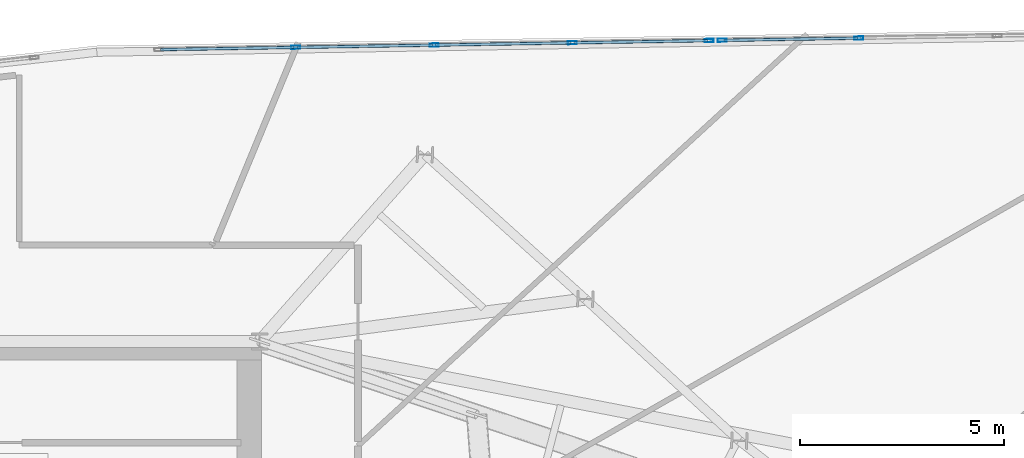
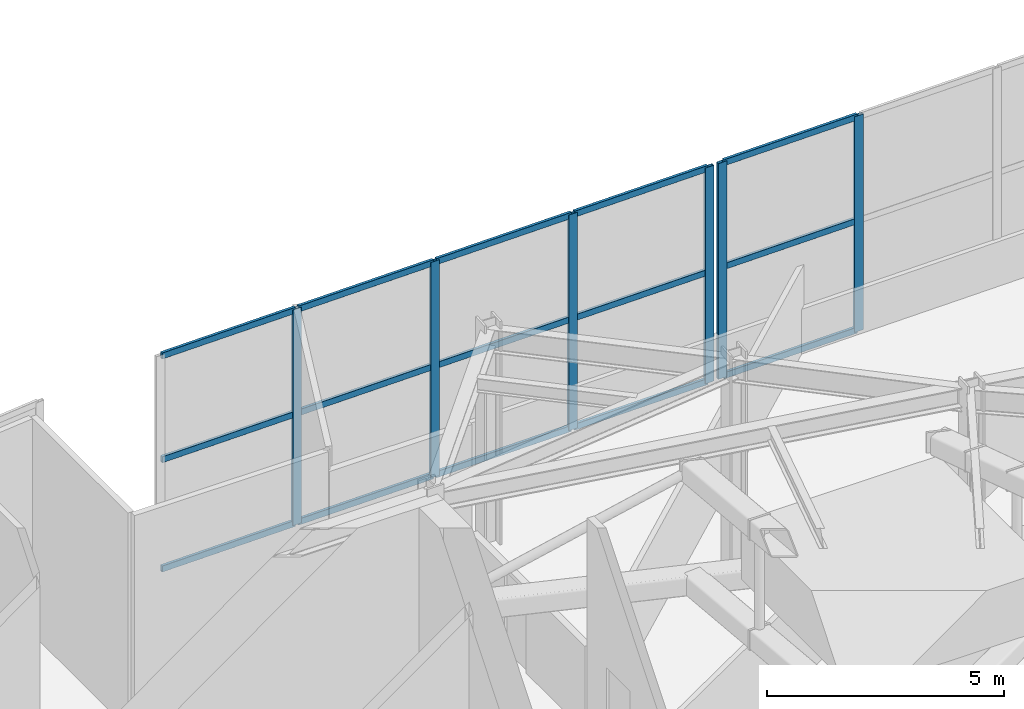
# One storey, part 6 of 15: 21 members, 2 elements without a shape of their own.
"""IFC4 building model written with IfcOpenShell, lengths in metres."""

from ifc_helpers import new_model, si_unit, direction, frame, origin, origin_2d, place, context, subcontext, project, spatial, hollow_rectangle, extrude, material, material_profile, profile_set, type_object, element, aggregate, save


model = new_model("IFC4")

# Units and contexts
model_context = context("Model", 3, precision=1e-05, world=origin(), true_north=direction((0.0, 1.0)))
body_context = subcontext(model_context, "Body", "Model", "MODEL_VIEW")
ifc_project = project(units=[si_unit("LENGTHUNIT", "METRE"), si_unit("AREAUNIT", "SQUARE_METRE"), si_unit("VOLUMEUNIT", "CUBIC_METRE"), si_unit("PLANEANGLEUNIT", "RADIAN"), si_unit("MASSUNIT", "GRAM", prefix="KILO")], contexts=[model_context])

# Site, building, storey
site_placement = place(None, origin())
site = spatial("IfcSite", under=ifc_project, at=site_placement, CompositionType="ELEMENT")
building_placement = place(site_placement, origin())
building = spatial("IfcBuilding", under=site, at=building_placement, Name="Narakoshi Arena Tower", CompositionType="ELEMENT")
storey_placement = place(building_placement, frame((0.0, 0.0, 292.419921875)))
storey = spatial("IfcBuildingStorey", under=building, at=storey_placement, Name="L80", CompositionType="ELEMENT", Elevation=292.419921875)

# Curtain wall, members
ifc_material_1 = material(Name="Clear low-iron laminated structural glass", Category="glass")
curtain_wall_type = type_object("IfcCurtainWallType", Name="CW-OBS-TMD", PredefinedType="NOTDEFINED", material=ifc_material_1)
curtain_wall_1_placement = place(storey_placement, origin())
curtain_wall_1 = element("IfcCurtainWall", 1, at=curtain_wall_1_placement, inside=storey, type_object=curtain_wall_type, Name="L80 Folded Hypotenuse Curtain Wall 1-1", PredefinedType="NOTDEFINED")
ifc_material_2 = material(Name="Anodised bronze aluminium 6063-T6", Category="aluminium")
ifc_material_profile_1 = material_profile(ifc_material_2, hollow_rectangle(XDim=0.080078125, YDim=0.219970703125, WallThickness=0.0048828125, OuterFilletRadius=0.006103515625, at=origin_2d()), Name="MUL220x80x5")
ifc_profile_set_1 = profile_set([ifc_material_profile_1], Name="Anodised bronze aluminium 6063-T6")
member_type_1 = type_object("IfcMemberType", Name="MEM-MUL-220", PredefinedType="MULLION", material=ifc_profile_set_1)
member_1_placement = place(storey_placement, frame((100.26708984375, 63.95068359375, 0.0), z_axis=(0.0, 0.0, 1.0), x_axis=(0.016444781281, -0.999864775441, 0.0)))
member_1 = element("IfcMember", 2, at=member_1_placement, type_object=member_type_1, Name="CW-05 mullion 4", PredefinedType="MULLION", context=body_context, shape_type="SweptSolid", body=[
    extrude(hollow_rectangle(XDim=0.080078125, YDim=0.219970703125, WallThickness=0.0048828125, OuterFilletRadius=0.006103515625, at=origin_2d()), origin(), (0.0, 0.0, 1.0), 5.56005859375),
])
member_2_placement = place(storey_placement, frame((96.909912109375, 63.8955078125, 0.0), z_axis=(0.0, 0.0, 1.0), x_axis=(0.016444781281, -0.999864775441, 0.0)))
member_2 = element("IfcMember", 3, at=member_2_placement, type_object=member_type_1, Name="CW-05 mullion 5", PredefinedType="MULLION", context=body_context, shape_type="SweptSolid", body=[
    extrude(hollow_rectangle(XDim=0.080078125, YDim=0.219970703125, WallThickness=0.0048828125, OuterFilletRadius=0.006103515625, at=origin_2d()), origin(), (0.0, 0.0, 1.0), 5.56005859375),
])

curtain_wall_2_placement = place(storey_placement, origin())
curtain_wall_2 = element("IfcCurtainWall", 4, at=curtain_wall_2_placement, inside=storey, type_object=curtain_wall_type, Name="L80 Folded Hypotenuse Curtain Wall 1-2", PredefinedType="NOTDEFINED")
member_3_placement = place(storey_placement, frame((96.58984375, 63.89013671875, 0.0), z_axis=(0.0, 0.0, 1.0), x_axis=(0.016437304499, -0.999864898384, 0.0)))
member_3 = element("IfcMember", 5, at=member_3_placement, type_object=member_type_1, Name="CW-05 mullion 1", PredefinedType="MULLION", context=body_context, shape_type="SweptSolid", body=[
    extrude(hollow_rectangle(XDim=0.080078125, YDim=0.219970703125, WallThickness=0.0048828125, OuterFilletRadius=0.006103515625, at=origin_2d()), origin(), (0.0, 0.0, 1.0), 5.56005859375),
])
member_4_placement = place(storey_placement, frame((93.232421875, 63.8349609375, 0.0), z_axis=(0.0, 0.0, 1.0), x_axis=(0.016437304499, -0.999864898384, 0.0)))
member_4 = element("IfcMember", 6, at=member_4_placement, type_object=member_type_1, Name="CW-05 mullion 2", PredefinedType="MULLION", context=body_context, shape_type="SweptSolid", body=[
    extrude(hollow_rectangle(XDim=0.080078125, YDim=0.219970703125, WallThickness=0.0048828125, OuterFilletRadius=0.006103515625, at=origin_2d()), origin(), (0.0, 0.0, 1.0), 5.56005859375),
])
member_5_placement = place(storey_placement, frame((89.835205078125, 63.779296875, 0.0), z_axis=(0.0, 0.0, 1.0), x_axis=(0.016437304499, -0.999864898384, 0.0)))
member_5 = element("IfcMember", 7, at=member_5_placement, type_object=member_type_1, Name="CW-05 mullion 3", PredefinedType="MULLION", context=body_context, shape_type="SweptSolid", body=[
    extrude(hollow_rectangle(XDim=0.080078125, YDim=0.219970703125, WallThickness=0.0048828125, OuterFilletRadius=0.006103515625, at=origin_2d()), origin(), (0.0, 0.0, 1.0), 5.56005859375),
])
member_6_placement = place(storey_placement, frame((86.43798828125, 63.723388671875, 0.0), z_axis=(0.0, 0.0, 1.0), x_axis=(0.016437304499, -0.999864898384, 0.0)))
member_6 = element("IfcMember", 8, at=member_6_placement, type_object=member_type_1, Name="CW-05 mullion 4", PredefinedType="MULLION", context=body_context, shape_type="SweptSolid", body=[
    extrude(hollow_rectangle(XDim=0.080078125, YDim=0.219970703125, WallThickness=0.0048828125, OuterFilletRadius=0.006103515625, at=origin_2d()), origin(), (0.0, 0.0, 1.0), 5.56005859375),
])

# Member
ifc_material_profile_2 = material_profile(ifc_material_2, hollow_rectangle(XDim=0.070068359375, YDim=0.159912109375, WallThickness=0.00390625, OuterFilletRadius=0.0048828125, at=origin_2d()), Name="TRN160x70x4")
ifc_profile_set_2 = profile_set([ifc_material_profile_2], Name="Anodised bronze aluminium 6063-T6")
member_type_2 = type_object("IfcMemberType", Name="MEM-TRN-160", PredefinedType="USERDEFINED", material=ifc_profile_set_2)
member_7_placement = place(storey_placement, frame((100.22705078125, 63.9501953125, 0.03515625), z_axis=(-0.999864511512, -0.016460820698, 0.0), x_axis=(0.016460820698, -0.999864511512, 0.0)))
member_7 = element("IfcMember", 9, at=member_7_placement, type_object=member_type_2, Name="CW-05 transom 4.1", ObjectType="TRANSOM", PredefinedType="USERDEFINED", context=body_context, shape_type="SweptSolid", body=[
    extrude(hollow_rectangle(XDim=0.070068359375, YDim=0.159912109375, WallThickness=0.00390625, OuterFilletRadius=0.0048828125, at=origin_2d()), origin(), (0.0, 0.0, 1.0), 3.27783203125),
])

member_8_placement = place(storey_placement, frame((100.22705078125, 63.9501953125, 2.85009765625), z_axis=(-0.999864511512, -0.016460820698, 0.0), x_axis=(0.016460820698, -0.999864511512, 0.0)))
member_8 = element("IfcMember", 10, at=member_8_placement, type_object=member_type_2, Name="CW-05 transom 4.2", ObjectType="TRANSOM", PredefinedType="USERDEFINED", context=body_context, shape_type="SweptSolid", body=[
    extrude(hollow_rectangle(XDim=0.070068359375, YDim=0.159912109375, WallThickness=0.00390625, OuterFilletRadius=0.0048828125, at=origin_2d()), origin(), (0.0, 0.0, 1.0), 3.27783203125),
])

member_9_placement = place(storey_placement, frame((100.22705078125, 63.9501953125, 5.525146484375), z_axis=(-0.999864511512, -0.016460820698, 0.0), x_axis=(0.016460820698, -0.999864511512, 0.0)))
member_9 = element("IfcMember", 11, at=member_9_placement, type_object=member_type_2, Name="CW-05 transom 4.3", ObjectType="TRANSOM", PredefinedType="USERDEFINED", context=body_context, shape_type="SweptSolid", body=[
    extrude(hollow_rectangle(XDim=0.070068359375, YDim=0.159912109375, WallThickness=0.00390625, OuterFilletRadius=0.0048828125, at=origin_2d()), origin(), (0.0, 0.0, 1.0), 3.27783203125),
])

aggregate(curtain_wall_1, [member_1, member_2, member_7, member_8, member_9])

member_10_placement = place(storey_placement, frame((96.5498046875, 63.8896484375, 0.03515625), z_axis=(-0.999864511512, -0.016460820698, 0.0), x_axis=(0.016460820698, -0.999864511512, 0.0)))
member_10 = element("IfcMember", 12, at=member_10_placement, type_object=member_type_2, Name="CW-05 transom 1.1", ObjectType="TRANSOM", PredefinedType="USERDEFINED", context=body_context, shape_type="SweptSolid", body=[
    extrude(hollow_rectangle(XDim=0.070068359375, YDim=0.159912109375, WallThickness=0.00390625, OuterFilletRadius=0.0048828125, at=origin_2d()), origin(), (0.0, 0.0, 1.0), 3.27783203125),
])

member_11_placement = place(storey_placement, frame((96.5498046875, 63.8896484375, 2.85009765625), z_axis=(-0.999864511512, -0.016460820698, 0.0), x_axis=(0.016460820698, -0.999864511512, 0.0)))
member_11 = element("IfcMember", 13, at=member_11_placement, type_object=member_type_2, Name="CW-05 transom 1.2", ObjectType="TRANSOM", PredefinedType="USERDEFINED", context=body_context, shape_type="SweptSolid", body=[
    extrude(hollow_rectangle(XDim=0.070068359375, YDim=0.159912109375, WallThickness=0.00390625, OuterFilletRadius=0.0048828125, at=origin_2d()), origin(), (0.0, 0.0, 1.0), 3.27783203125),
])

member_12_placement = place(storey_placement, frame((96.5498046875, 63.8896484375, 5.525146484375), z_axis=(-0.999864511512, -0.016460820698, 0.0), x_axis=(0.016460820698, -0.999864511512, 0.0)))
member_12 = element("IfcMember", 14, at=member_12_placement, type_object=member_type_2, Name="CW-05 transom 1.3", ObjectType="TRANSOM", PredefinedType="USERDEFINED", context=body_context, shape_type="SweptSolid", body=[
    extrude(hollow_rectangle(XDim=0.070068359375, YDim=0.159912109375, WallThickness=0.00390625, OuterFilletRadius=0.0048828125, at=origin_2d()), origin(), (0.0, 0.0, 1.0), 3.27783203125),
])

member_13_placement = place(storey_placement, frame((93.192626953125, 63.83447265625, 0.03515625), z_axis=(-0.999864147868, -0.016482894401, 0.0), x_axis=(0.016482894401, -0.999864147868, 0.0)))
member_13 = element("IfcMember", 15, at=member_13_placement, type_object=member_type_2, Name="CW-05 transom 2.1", ObjectType="TRANSOM", PredefinedType="USERDEFINED", context=body_context, shape_type="SweptSolid", body=[
    extrude(hollow_rectangle(XDim=0.070068359375, YDim=0.159912109375, WallThickness=0.00390625, OuterFilletRadius=0.0048828125, at=origin_2d()), origin(), (0.0, 0.0, 1.0), 3.31787109375),
])

member_14_placement = place(storey_placement, frame((93.192626953125, 63.83447265625, 2.85009765625), z_axis=(-0.999864147868, -0.016482894401, 0.0), x_axis=(0.016482894401, -0.999864147868, 0.0)))
member_14 = element("IfcMember", 16, at=member_14_placement, type_object=member_type_2, Name="CW-05 transom 2.2", ObjectType="TRANSOM", PredefinedType="USERDEFINED", context=body_context, shape_type="SweptSolid", body=[
    extrude(hollow_rectangle(XDim=0.070068359375, YDim=0.159912109375, WallThickness=0.00390625, OuterFilletRadius=0.0048828125, at=origin_2d()), origin(), (0.0, 0.0, 1.0), 3.31787109375),
])

member_15_placement = place(storey_placement, frame((93.192626953125, 63.83447265625, 5.525146484375), z_axis=(-0.999864147868, -0.016482894401, 0.0), x_axis=(0.016482894401, -0.999864147868, 0.0)))
member_15 = element("IfcMember", 17, at=member_15_placement, type_object=member_type_2, Name="CW-05 transom 2.3", ObjectType="TRANSOM", PredefinedType="USERDEFINED", context=body_context, shape_type="SweptSolid", body=[
    extrude(hollow_rectangle(XDim=0.070068359375, YDim=0.159912109375, WallThickness=0.00390625, OuterFilletRadius=0.0048828125, at=origin_2d()), origin(), (0.0, 0.0, 1.0), 3.31787109375),
])

member_16_placement = place(storey_placement, frame((89.795166015625, 63.778564453125, 0.03515625), z_axis=(-0.999865357882, -0.016409329909, 0.0), x_axis=(0.016409329909, -0.999865357882, 0.0)))
member_16 = element("IfcMember", 18, at=member_16_placement, type_object=member_type_2, Name="CW-05 transom 3.1", ObjectType="TRANSOM", PredefinedType="USERDEFINED", context=body_context, shape_type="SweptSolid", body=[
    extrude(hollow_rectangle(XDim=0.070068359375, YDim=0.159912109375, WallThickness=0.00390625, OuterFilletRadius=0.0048828125, at=origin_2d()), origin(), (0.0, 0.0, 1.0), 3.31787109375),
])

member_17_placement = place(storey_placement, frame((89.795166015625, 63.778564453125, 2.85009765625), z_axis=(-0.999865357882, -0.016409329909, 0.0), x_axis=(0.016409329909, -0.999865357882, 0.0)))
member_17 = element("IfcMember", 19, at=member_17_placement, type_object=member_type_2, Name="CW-05 transom 3.2", ObjectType="TRANSOM", PredefinedType="USERDEFINED", context=body_context, shape_type="SweptSolid", body=[
    extrude(hollow_rectangle(XDim=0.070068359375, YDim=0.159912109375, WallThickness=0.00390625, OuterFilletRadius=0.0048828125, at=origin_2d()), origin(), (0.0, 0.0, 1.0), 3.31787109375),
])

member_18_placement = place(storey_placement, frame((89.795166015625, 63.778564453125, 5.525146484375), z_axis=(-0.999865357882, -0.016409329909, 0.0), x_axis=(0.016409329909, -0.999865357882, 0.0)))
member_18 = element("IfcMember", 20, at=member_18_placement, type_object=member_type_2, Name="CW-05 transom 3.3", ObjectType="TRANSOM", PredefinedType="USERDEFINED", context=body_context, shape_type="SweptSolid", body=[
    extrude(hollow_rectangle(XDim=0.070068359375, YDim=0.159912109375, WallThickness=0.00390625, OuterFilletRadius=0.0048828125, at=origin_2d()), origin(), (0.0, 0.0, 1.0), 3.31787109375),
])

member_19_placement = place(storey_placement, frame((86.39794921875, 63.72265625, 0.03515625), z_axis=(-0.999864511512, -0.016460820698, 0.0), x_axis=(0.016460820698, -0.999864511512, 0.0)))
member_19 = element("IfcMember", 21, at=member_19_placement, type_object=member_type_2, Name="CW-05 transom 4.1", ObjectType="TRANSOM", PredefinedType="USERDEFINED", context=body_context, shape_type="SweptSolid", body=[
    extrude(hollow_rectangle(XDim=0.070068359375, YDim=0.159912109375, WallThickness=0.00390625, OuterFilletRadius=0.0048828125, at=origin_2d()), origin(), (0.0, 0.0, 1.0), 3.27783203125),
])

member_20_placement = place(storey_placement, frame((86.39794921875, 63.72265625, 2.85009765625), z_axis=(-0.999864511512, -0.016460820698, 0.0), x_axis=(0.016460820698, -0.999864511512, 0.0)))
member_20 = element("IfcMember", 22, at=member_20_placement, type_object=member_type_2, Name="CW-05 transom 4.2", ObjectType="TRANSOM", PredefinedType="USERDEFINED", context=body_context, shape_type="SweptSolid", body=[
    extrude(hollow_rectangle(XDim=0.070068359375, YDim=0.159912109375, WallThickness=0.00390625, OuterFilletRadius=0.0048828125, at=origin_2d()), origin(), (0.0, 0.0, 1.0), 3.27783203125),
])

member_21_placement = place(storey_placement, frame((86.39794921875, 63.72265625, 5.525146484375), z_axis=(-0.999864511512, -0.016460820698, 0.0), x_axis=(0.016460820698, -0.999864511512, 0.0)))
member_21 = element("IfcMember", 23, at=member_21_placement, type_object=member_type_2, Name="CW-05 transom 4.3", ObjectType="TRANSOM", PredefinedType="USERDEFINED", context=body_context, shape_type="SweptSolid", body=[
    extrude(hollow_rectangle(XDim=0.070068359375, YDim=0.159912109375, WallThickness=0.00390625, OuterFilletRadius=0.0048828125, at=origin_2d()), origin(), (0.0, 0.0, 1.0), 3.27783203125),
])

aggregate(curtain_wall_2, [member_3, member_4, member_5, member_6, member_10, member_11, member_12, member_13, member_14, member_15, member_16, member_17, member_18, member_19, member_20, member_21])

save(model, "model.ifc")
